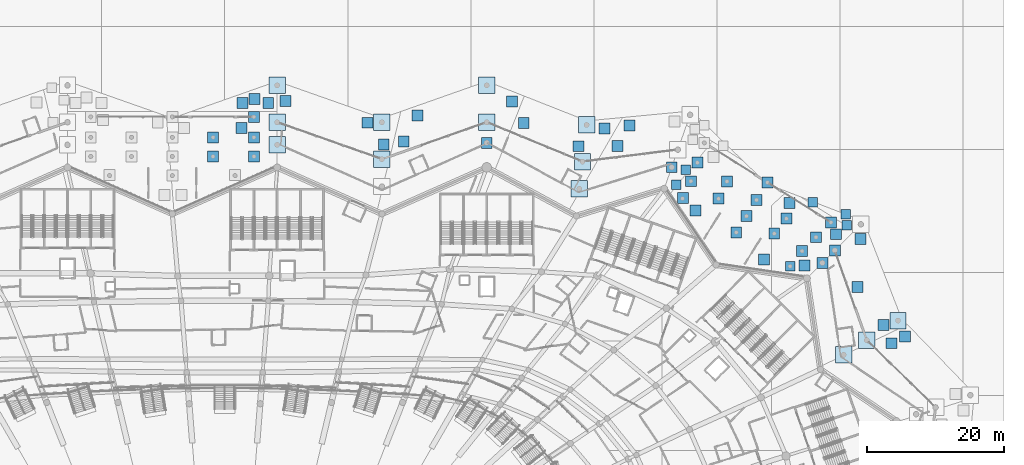
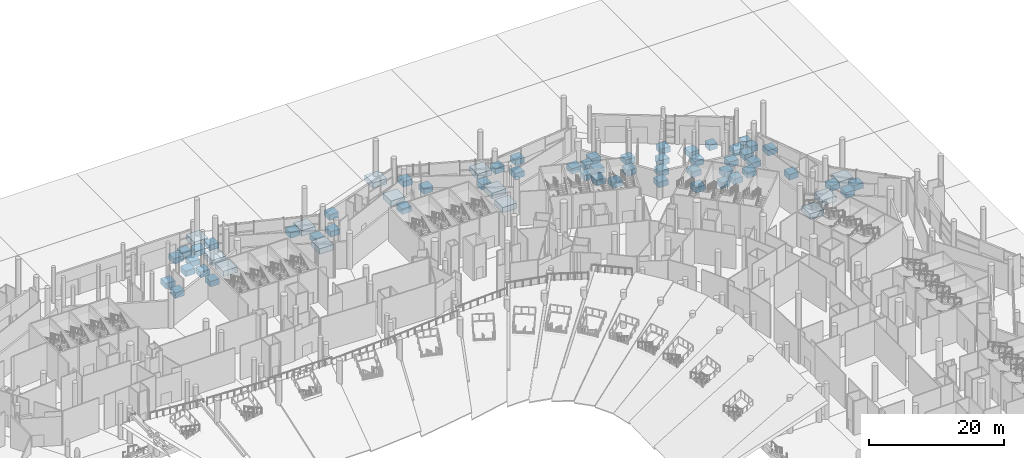
# One storey, part 8 of 255: 67 footings.
"""IFC4 building model written with IfcOpenShell, lengths in metres."""

import ifcopenshell
import ifcopenshell.guid

model = None  # the IFC model being written
_history = None  # IfcOwnerHistory: only IFC2X3 demands one
_inside = {}  # id of a spatial element -> (the spatial element, [elements in it])
_under = {}  # id of a project, library or spatial element -> (it, [spatial elements below it])
_declared = {}  # id of a project -> (the project, [libraries it declares])
_typed = {}  # id of a type object -> (the type object, [elements of that type])
_made_of = {}  # id of a material, layer set ... -> (it, [elements and type objects made of it])


def new_model(schema):
    """Start an empty IFC model of exactly this schema.

    Asked for "IFC4X3", IfcOpenShell would pick the latest addendum, in which some entities
    have other attributes; the version numbers below select the first issue.
    IFC2X3 requires an IfcOwnerHistory on every rooted entity: one is made here for all.
    """
    global model, _history
    if schema == "IFC4X3":
        model = ifcopenshell.file(schema_version=(4, 3, 0, 0))
    else:
        model = ifcopenshell.file(schema=schema)
    _inside.clear()
    _under.clear()
    _declared.clear()
    _typed.clear()
    _made_of.clear()
    _history = None
    if model.schema == "IFC2X3":
        org = make("IfcOrganization", Name="unknown")
        user = make(
            "IfcPersonAndOrganization",
            ThePerson=make("IfcPerson", FamilyName="unknown"),
            TheOrganization=org,
        )
        app = make(
            "IfcApplication",
            ApplicationDeveloper=org,
            Version="unknown",
            ApplicationFullName="unknown",
            ApplicationIdentifier="unknown",
        )
        _history = make(
            "IfcOwnerHistory",
            OwningUser=user,
            OwningApplication=app,
            ChangeAction="ADDED",
            CreationDate=0,
        )
    return model


def make(cls, **values):
    """One entity of the class cls with the attributes given. An attribute that is None is left unset."""
    return model.create_entity(
        cls, **{name: value for name, value in values.items() if value is not None}
    )


def rooted(cls, **values):
    """An entity with a GlobalId (a new one), such as an element, a storey or a relation."""
    return make(cls, GlobalId=ifcopenshell.guid.new(), OwnerHistory=_history, **values)


def si_unit(unit_type, name, prefix=None):
    """IfcSIUnit, for example si_unit("LENGTHUNIT", "METRE", prefix="MILLI")."""
    return make("IfcSIUnit", UnitType=unit_type, Prefix=prefix, Name=name)


def assignment(units):
    """IfcUnitAssignment: the units of a project."""
    return None if units is None else make("IfcUnitAssignment", Units=units)


def point(xyz):
    """IfcCartesianPoint."""
    return None if xyz is None else make("IfcCartesianPoint", Coordinates=xyz)


def direction(xyz):
    """IfcDirection."""
    return None if xyz is None else make("IfcDirection", DirectionRatios=xyz)


def frame(location, z_axis=None, x_axis=None):
    """IfcAxis2Placement3D, a coordinate frame: its origin and axes. An axis left out is left unset."""
    return make(
        "IfcAxis2Placement3D",
        Location=point(location),
        Axis=direction(z_axis),
        RefDirection=direction(x_axis),
    )


def origin():
    """The frame at (0, 0, 0) with its axes left unset."""
    return frame((0.0, 0.0, 0.0))


def place(relative_to, where):
    """IfcLocalPlacement: puts the frame where relative to a parent placement (None: the world)."""
    return make(
        "IfcLocalPlacement", PlacementRelTo=relative_to, RelativePlacement=where
    )


def context(
    kind, dimensions, precision=None, world=None, true_north=None, identifier=None
):
    """IfcGeometricRepresentationContext, for example the 3D "Model" context."""
    return make(
        "IfcGeometricRepresentationContext",
        ContextIdentifier=identifier,
        ContextType=kind,
        CoordinateSpaceDimension=dimensions,
        Precision=precision,
        WorldCoordinateSystem=world,
        TrueNorth=true_north,
    )


def subcontext(parent, identifier, kind, view, scale=None):
    """IfcGeometricRepresentationSubContext, for example "Body" below "Model"."""
    return make(
        "IfcGeometricRepresentationSubContext",
        ContextIdentifier=identifier,
        ContextType=kind,
        ParentContext=parent,
        TargetScale=scale,
        TargetView=view,
    )


def project(units=None, contexts=None):
    """IfcProject with its units and contexts."""
    return rooted(
        "IfcProject",
        Name="project",
        RepresentationContexts=contexts,
        UnitsInContext=assignment(units),
    )


def spatial(cls, under=None, at=None, **own):
    """A site, building, storey or space (cls), placed at a placement, below another one or the project."""
    s = rooted(cls, ObjectPlacement=at, **own)
    if under is not None:
        _under.setdefault(under.id(), (under, []))[1].append(s)
    return s


def polyline(points):
    """IfcPolyline through the points."""
    return make("IfcPolyline", Points=[point(p) for p in points])


def outline(outer, holes=None, kind="AREA"):
    """IfcArbitraryClosedProfileDef: a profile drawn as a closed curve; with holes, ...WithVoids."""
    if holes is None:
        return make("IfcArbitraryClosedProfileDef", ProfileType=kind, OuterCurve=outer)
    return make(
        "IfcArbitraryProfileDefWithVoids",
        ProfileType=kind,
        OuterCurve=outer,
        InnerCurves=holes,
    )


def extrude(swept, where, along, depth):
    """IfcExtrudedAreaSolid: the profile swept, set in the frame where, extruded along a direction by depth."""
    return make(
        "IfcExtrudedAreaSolid",
        SweptArea=swept,
        Position=where,
        ExtrudedDirection=direction(along),
        Depth=depth,
    )


def shape(context_of_items, identifier, shape_type, items):
    """IfcShapeRepresentation: the items that make up one representation, for example the "Body"."""
    return make(
        "IfcShapeRepresentation",
        ContextOfItems=context_of_items,
        RepresentationIdentifier=identifier,
        RepresentationType=shape_type,
        Items=items,
    )


def material(Name=None, Category=None):
    """IfcMaterial."""
    return make("IfcMaterial", Name=Name, Category=Category)


def made_of(thing, what):
    """Note that an element or type object is made of a material, layer set ...; save() writes the relation."""
    if what is not None:
        _made_of.setdefault(what.id(), (what, []))[1].append(thing)
    return thing


def type_object(cls, material=None, **own):
    """A type object (cls), such as IfcWallType, which elements share."""
    return made_of(rooted(cls, **own), material)


def element(
    cls,
    number,
    at=None,
    inside=None,
    cuts=None,
    type_object=None,
    material=None,
    context=None,
    identifier="Body",
    shape_type=None,
    held_by="IfcProductDefinitionShape",
    body=None,
    shapes=None,
    **own,
):
    """One element of the class cls, such as IfcWall. Its Tag is "e" and its number.

    at: its placement. inside: the storey or other place that contains it. cuts: it is an
    opening in that element (IfcRelVoidsElement). A single representation is given by context,
    identifier, shape_type and body (its items); several are given by shapes. held_by: the class
    of the entity that holds the representations. save() writes the other relations.
    """
    e = rooted(cls, Tag="e%d" % number, ObjectPlacement=at, **own)
    if body is not None:
        shapes = [shape(context, identifier, shape_type, body)]
    if shapes is not None:
        e.Representation = make(held_by, Representations=shapes)
    if inside is not None:
        _inside.setdefault(inside.id(), (inside, []))[1].append(e)
    if cuts is not None:
        rooted(
            "IfcRelVoidsElement", RelatingBuildingElement=cuts, RelatedOpeningElement=e
        )
    if type_object is not None:
        _typed.setdefault(type_object.id(), (type_object, []))[1].append(e)
    return made_of(e, material)


def aggregate(whole, parts):
    """IfcRelAggregates: a whole, such as a stair, and the parts it consists of."""
    return rooted("IfcRelAggregates", RelatingObject=whole, RelatedObjects=parts)


def save(model, path):
    """Write the relations noted so far, then the file.

    IfcRelAggregates (storeys below a building ...), IfcRelContainedInSpatialStructure (elements
    in a storey), IfcRelDefinesByType, IfcRelAssociatesMaterial and IfcRelDeclares: one each for
    every whole, place, type object, material and project.
    """
    for whole, parts in _under.values():
        aggregate(whole, parts)
    for where, things in _inside.values():
        rooted(
            "IfcRelContainedInSpatialStructure",
            RelatedElements=things,
            RelatingStructure=where,
        )
    for kind, things in _typed.values():
        rooted("IfcRelDefinesByType", RelatedObjects=things, RelatingType=kind)
    for what, things in _made_of.values():
        rooted("IfcRelAssociatesMaterial", RelatedObjects=things, RelatingMaterial=what)
    for by, libraries in _declared.values():
        rooted("IfcRelDeclares", RelatingContext=by, RelatedDefinitions=libraries)
    model.write(path)


model = new_model("IFC4")

# Units and contexts
model_context = context("Model", 3, precision=1e-05, world=origin(), true_north=direction((0.0, 1.0)))
body_context = subcontext(model_context, "Body", "Model", "MODEL_VIEW")
ifc_project = project(units=[si_unit("LENGTHUNIT", "METRE"), si_unit("AREAUNIT", "SQUARE_METRE"), si_unit("VOLUMEUNIT", "CUBIC_METRE"), si_unit("PLANEANGLEUNIT", "RADIAN"), si_unit("MASSUNIT", "GRAM", prefix="KILO")], contexts=[model_context])

# Site, building, storey
site_placement = place(None, origin())
site = spatial("IfcSite", under=ifc_project, at=site_placement, CompositionType="ELEMENT")
building_placement = place(site_placement, origin())
building = spatial("IfcBuilding", under=site, at=building_placement, Name="Meseta Stadium", CompositionType="ELEMENT")
storey_placement = place(building_placement, origin())
storey = spatial("IfcBuildingStorey", under=building, at=storey_placement, Name="L00", CompositionType="ELEMENT", Elevation=0.0)

# Footings
ifc_material_1 = material(Name="Concrete C30/37", Category="concrete")
footing_type_1 = type_object("IfcFootingType", Name="Gate pad footing 1400", PredefinedType="PAD_FOOTING", material=ifc_material_1)
footing_1_placement = place(storey_placement, frame((0.0, 0.0, -1.300048828125)))
element("IfcFooting", 1, at=footing_1_placement, inside=storey, type_object=footing_type_1, Name="Gate 2 pad footing", PredefinedType="PAD_FOOTING", context=body_context, shape_type="SweptSolid", body=[
    extrude(outline(polyline([(83.41943359375, 90.239013671875), (83.41943359375, 91.638916015625), (82.01953125, 91.638916015625), (82.01953125, 90.239013671875), (83.41943359375, 90.239013671875)])), origin(), (0.0, 0.0, 1.0), 1.0),
])
footing_2_placement = place(storey_placement, frame((0.0, 0.0, -1.300048828125)))
element("IfcFooting", 2, at=footing_2_placement, inside=storey, type_object=footing_type_1, Name="Paving pad footing", PredefinedType="PAD_FOOTING", context=body_context, shape_type="SweptSolid", body=[
    extrude(outline(polyline([(86.719970703125, 99.62890625), (86.719970703125, 101.029052734375), (85.320068359375, 101.029052734375), (85.320068359375, 99.62890625), (86.719970703125, 99.62890625)])), origin(), (0.0, 0.0, 1.0), 1.0),
])
footing_3_placement = place(storey_placement, frame((0.0, 0.0, -1.300048828125)))
element("IfcFooting", 3, at=footing_3_placement, inside=storey, type_object=footing_type_1, Name="Paving pad footing", PredefinedType="PAD_FOOTING", context=body_context, shape_type="SweptSolid", body=[
    extrude(outline(polyline([(91.719970703125, 96.22900390625), (91.719970703125, 97.62890625), (90.320068359375, 97.62890625), (90.320068359375, 96.22900390625), (91.719970703125, 96.22900390625)])), origin(), (0.0, 0.0, 1.0), 1.0),
])
footing_4_placement = place(storey_placement, frame((0.0, 0.0, -1.300048828125)))
element("IfcFooting", 4, at=footing_4_placement, inside=storey, type_object=footing_type_1, Name="Paving pad footing", PredefinedType="PAD_FOOTING", context=body_context, shape_type="SweptSolid", body=[
    extrude(outline(polyline([(91.52001953125, 97.8291015625), (91.52001953125, 99.22900390625), (90.1201171875, 99.22900390625), (90.1201171875, 97.8291015625), (91.52001953125, 97.8291015625)])), origin(), (0.0, 0.0, 1.0), 1.0),
])
footing_5_placement = place(storey_placement, frame((0.0, 0.0, -1.300048828125)))
element("IfcFooting", 5, at=footing_5_placement, inside=storey, type_object=footing_type_1, Name="Paving pad footing", PredefinedType="PAD_FOOTING", context=body_context, shape_type="SweptSolid", body=[
    extrude(outline(polyline([(66.762939453125, 102.158935546875), (66.762939453125, 103.55908203125), (65.363037109375, 103.55908203125), (65.363037109375, 102.158935546875), (66.762939453125, 102.158935546875)])), origin(), (0.0, 0.0, 1.0), 1.0),
])
footing_6_placement = place(storey_placement, frame((0.0, 0.0, -1.300048828125)))
element("IfcFooting", 6, at=footing_6_placement, inside=storey, type_object=footing_type_1, Name="Paving pad footing", PredefinedType="PAD_FOOTING", context=body_context, shape_type="SweptSolid", body=[
    extrude(outline(polyline([(68.1630859375, 104.35888671875), (68.1630859375, 105.759033203125), (66.762939453125, 105.759033203125), (66.762939453125, 104.35888671875), (68.1630859375, 104.35888671875)])), origin(), (0.0, 0.0, 1.0), 1.0),
])
ifc_material_2 = material(Name="Concrete C30/37", Category="concrete")
footing_type_2 = type_object("IfcFootingType", Name="Gate pad footing 1600", PredefinedType="PAD_FOOTING", material=ifc_material_2)
footing_7_placement = place(storey_placement, frame((0.0, 0.0, -1.300048828125)))
element("IfcFooting", 7, at=footing_7_placement, inside=storey, type_object=footing_type_2, Name="Gate 2 pad footing", PredefinedType="PAD_FOOTING", context=body_context, shape_type="SweptSolid", body=[
    extrude(outline(polyline([(75.635986328125, 95.092529296875), (75.635986328125, 96.6923828125), (74.0361328125, 96.6923828125), (74.0361328125, 95.092529296875), (75.635986328125, 95.092529296875)])), origin(), (0.0, 0.0, 1.0), 1.0),
])
footing_8_placement = place(storey_placement, frame((0.0, 0.0, -1.300048828125)))
element("IfcFooting", 8, at=footing_8_placement, inside=storey, type_object=footing_type_2, Name="Gate 2 pad footing", PredefinedType="PAD_FOOTING", context=body_context, shape_type="SweptSolid", body=[
    extrude(outline(polyline([(67.864990234375, 100.121826171875), (67.864990234375, 101.721923828125), (66.264892578125, 101.721923828125), (66.264892578125, 100.121826171875), (67.864990234375, 100.121826171875)])), origin(), (0.0, 0.0, 1.0), 1.0),
])
footing_9_placement = place(storey_placement, frame((0.0, 0.0, -1.300048828125)))
element("IfcFooting", 9, at=footing_9_placement, inside=storey, type_object=footing_type_2, Name="Gate 2 pad footing", PredefinedType="PAD_FOOTING", context=body_context, shape_type="SweptSolid", body=[
    extrude(outline(polyline([(85.2626953125, 92.3505859375), (85.2626953125, 93.950439453125), (83.66259765625, 93.950439453125), (83.66259765625, 92.3505859375), (85.2626953125, 92.3505859375)])), origin(), (0.0, 0.0, 1.0), 1.0),
])
footing_10_placement = place(storey_placement, frame((0.0, 0.0, -1.300048828125)))
element("IfcFooting", 10, at=footing_10_placement, inside=storey, type_object=footing_type_2, Name="Gate 2 pad footing", PredefinedType="PAD_FOOTING", context=body_context, shape_type="SweptSolid", body=[
    extrude(outline(polyline([(81.1943359375, 94.906982421875), (81.1943359375, 96.5068359375), (79.59423828125, 96.5068359375), (79.59423828125, 94.906982421875), (81.1943359375, 94.906982421875)])), origin(), (0.0, 0.0, 1.0), 1.0),
])
footing_11_placement = place(storey_placement, frame((0.0, 0.0, -1.300048828125)))
element("IfcFooting", 11, at=footing_11_placement, inside=storey, type_object=footing_type_2, Name="Gate 2 pad footing", PredefinedType="PAD_FOOTING", context=body_context, shape_type="SweptSolid", body=[
    extrude(outline(polyline([(77.125732421875, 97.46337890625), (77.125732421875, 99.063232421875), (75.52587890625, 99.063232421875), (75.52587890625, 97.46337890625), (77.125732421875, 97.46337890625)])), origin(), (0.0, 0.0, 1.0), 1.0),
])
footing_12_placement = place(storey_placement, frame((0.0, 0.0, -1.300048828125)))
element("IfcFooting", 12, at=footing_12_placement, inside=storey, type_object=footing_type_2, Name="Gate 2 pad footing", PredefinedType="PAD_FOOTING", context=body_context, shape_type="SweptSolid", body=[
    extrude(outline(polyline([(73.057373046875, 100.019775390625), (73.057373046875, 101.61962890625), (71.45751953125, 101.61962890625), (71.45751953125, 100.019775390625), (73.057373046875, 100.019775390625)])), origin(), (0.0, 0.0, 1.0), 1.0),
])
footing_13_placement = place(storey_placement, frame((0.0, 0.0, -1.300048828125)))
element("IfcFooting", 13, at=footing_13_placement, inside=storey, type_object=footing_type_2, Name="Gate 2 pad footing", PredefinedType="PAD_FOOTING", context=body_context, shape_type="SweptSolid", body=[
    extrude(outline(polyline([(68.989013671875, 102.575927734375), (68.989013671875, 104.176025390625), (67.388916015625, 104.176025390625), (67.388916015625, 102.575927734375), (68.989013671875, 102.575927734375)])), origin(), (0.0, 0.0, 1.0), 1.0),
])
footing_14_placement = place(storey_placement, frame((0.0, 0.0, -1.300048828125)))
element("IfcFooting", 14, at=footing_14_placement, inside=storey, type_object=footing_type_2, Name="Gate 2 pad footing", PredefinedType="PAD_FOOTING", context=body_context, shape_type="SweptSolid", body=[
    extrude(outline(polyline([(87.293701171875, 94.38134765625), (87.293701171875, 95.981201171875), (85.693603515625, 95.981201171875), (85.693603515625, 94.38134765625), (87.293701171875, 94.38134765625)])), origin(), (0.0, 0.0, 1.0), 1.0),
])
footing_15_placement = place(storey_placement, frame((0.0, 0.0, -1.300048828125)))
element("IfcFooting", 15, at=footing_15_placement, inside=storey, type_object=footing_type_2, Name="Gate 2 pad footing", PredefinedType="PAD_FOOTING", context=body_context, shape_type="SweptSolid", body=[
    extrude(outline(polyline([(82.95458984375, 97.107666015625), (82.95458984375, 98.707763671875), (81.3544921875, 98.707763671875), (81.3544921875, 97.107666015625), (82.95458984375, 97.107666015625)])), origin(), (0.0, 0.0, 1.0), 1.0),
])
footing_16_placement = place(storey_placement, frame((0.0, 0.0, -1.300048828125)))
element("IfcFooting", 16, at=footing_16_placement, inside=storey, type_object=footing_type_2, Name="Gate 2 pad footing", PredefinedType="PAD_FOOTING", context=body_context, shape_type="SweptSolid", body=[
    extrude(outline(polyline([(78.615478515625, 99.833984375), (78.615478515625, 101.43408203125), (77.015380859375, 101.43408203125), (77.015380859375, 99.833984375), (78.615478515625, 99.833984375)])), origin(), (0.0, 0.0, 1.0), 1.0),
])
footing_17_placement = place(storey_placement, frame((0.0, 0.0, -1.300048828125)))
element("IfcFooting", 17, at=footing_17_placement, inside=storey, type_object=footing_type_2, Name="Gate 2 pad footing", PredefinedType="PAD_FOOTING", context=body_context, shape_type="SweptSolid", body=[
    extrude(outline(polyline([(74.276611328125, 102.560546875), (74.276611328125, 104.160400390625), (72.676513671875, 104.160400390625), (72.676513671875, 102.560546875), (74.276611328125, 102.560546875)])), origin(), (0.0, 0.0, 1.0), 1.0),
])
footing_18_placement = place(storey_placement, frame((0.0, 0.0, -1.300048828125)))
element("IfcFooting", 18, at=footing_18_placement, inside=storey, type_object=footing_type_2, Name="Gate 2 pad footing", PredefinedType="PAD_FOOTING", context=body_context, shape_type="SweptSolid", body=[
    extrude(outline(polyline([(69.9375, 105.286865234375), (69.9375, 106.886962890625), (68.33740234375, 106.886962890625), (68.33740234375, 105.286865234375), (69.9375, 105.286865234375)])), origin(), (0.0, 0.0, 1.0), 1.0),
])
footing_19_placement = place(storey_placement, frame((0.0, 0.0, -1.300048828125)))
element("IfcFooting", 19, at=footing_19_placement, inside=storey, type_object=footing_type_2, Name="Gate 2 pad footing", PredefinedType="PAD_FOOTING", context=body_context, shape_type="SweptSolid", body=[
    extrude(outline(polyline([(89.469482421875, 96.55712890625), (89.469482421875, 98.1572265625), (87.869384765625, 98.1572265625), (87.869384765625, 96.55712890625), (89.469482421875, 96.55712890625)])), origin(), (0.0, 0.0, 1.0), 1.0),
])
footing_20_placement = place(storey_placement, frame((0.0, 0.0, -1.300048828125)))
element("IfcFooting", 20, at=footing_20_placement, inside=storey, type_object=footing_type_2, Name="Gate 2 pad footing", PredefinedType="PAD_FOOTING", context=body_context, shape_type="SweptSolid", body=[
    extrude(outline(polyline([(80.211669921875, 102.374267578125), (80.211669921875, 103.974365234375), (78.611572265625, 103.974365234375), (78.611572265625, 102.374267578125), (80.211669921875, 102.374267578125)])), origin(), (0.0, 0.0, 1.0), 1.0),
])
footing_21_placement = place(storey_placement, frame((0.0, 0.0, -1.300048828125)))
element("IfcFooting", 21, at=footing_21_placement, inside=storey, type_object=footing_type_2, Name="Gate 3 pad footing", PredefinedType="PAD_FOOTING", context=body_context, shape_type="SweptSolid", body=[
    extrude(outline(polyline([(5.066650390625, 106.199951171875), (5.066650390625, 107.800048828125), (3.466796875, 107.800048828125), (3.466796875, 106.199951171875), (5.066650390625, 106.199951171875)])), origin(), (0.0, 0.0, 1.0), 1.0),
])
footing_22_placement = place(storey_placement, frame((0.0, 0.0, -1.300048828125)))
element("IfcFooting", 22, at=footing_22_placement, inside=storey, type_object=footing_type_2, Name="Gate 3 pad footing", PredefinedType="PAD_FOOTING", context=body_context, shape_type="SweptSolid", body=[
    extrude(outline(polyline([(-0.89990234375, 106.199951171875), (-0.89990234375, 107.800048828125), (-2.5, 107.800048828125), (-2.5, 106.199951171875), (-0.89990234375, 106.199951171875)])), origin(), (0.0, 0.0, 1.0), 1.0),
])
footing_23_placement = place(storey_placement, frame((0.0, 0.0, -1.300048828125)))
element("IfcFooting", 23, at=footing_23_placement, inside=storey, type_object=footing_type_2, Name="Gate 3 pad footing", PredefinedType="PAD_FOOTING", context=body_context, shape_type="SweptSolid", body=[
    extrude(outline(polyline([(5.066650390625, 109.0), (5.066650390625, 110.60009765625), (3.466796875, 110.60009765625), (3.466796875, 109.0), (5.066650390625, 109.0)])), origin(), (0.0, 0.0, 1.0), 1.0),
])
footing_24_placement = place(storey_placement, frame((0.0, 0.0, -1.300048828125)))
element("IfcFooting", 24, at=footing_24_placement, inside=storey, type_object=footing_type_2, Name="Gate 3 pad footing", PredefinedType="PAD_FOOTING", context=body_context, shape_type="SweptSolid", body=[
    extrude(outline(polyline([(-0.89990234375, 109.0), (-0.89990234375, 110.60009765625), (-2.5, 110.60009765625), (-2.5, 109.0), (-0.89990234375, 109.0)])), origin(), (0.0, 0.0, 1.0), 1.0),
])
footing_25_placement = place(storey_placement, frame((0.0, 0.0, -1.300048828125)))
element("IfcFooting", 25, at=footing_25_placement, inside=storey, type_object=footing_type_2, Name="Gate 3 pad footing", PredefinedType="PAD_FOOTING", context=body_context, shape_type="SweptSolid", body=[
    extrude(outline(polyline([(5.066650390625, 112.0), (5.066650390625, 113.60009765625), (3.466796875, 113.60009765625), (3.466796875, 112.0), (5.066650390625, 112.0)])), origin(), (0.0, 0.0, 1.0), 1.0),
])
ifc_material_3 = material(Name="Concrete C30/37", Category="concrete")
footing_type_3 = type_object("IfcFootingType", Name="Ring pad footing 1600", PredefinedType="PAD_FOOTING", material=ifc_material_3)
footing_26_placement = place(storey_placement, frame((0.0, 0.0, -1.300048828125)))
element("IfcFooting", 26, at=footing_26_placement, inside=storey, type_object=footing_type_3, Name="Ring pad footing F12M", PredefinedType="PAD_FOOTING", context=body_context, shape_type="SweptSolid", body=[
    extrude(outline(polyline([(88.226318359375, 90.62646484375), (88.226318359375, 92.226318359375), (86.62646484375, 92.226318359375), (86.62646484375, 90.62646484375), (88.226318359375, 90.62646484375)])), origin(), (0.0, 0.0, 1.0), 1.0),
])
footing_27_placement = place(storey_placement, frame((0.0, 0.0, -1.300048828125)))
element("IfcFooting", 27, at=footing_27_placement, inside=storey, type_object=footing_type_3, Name="Ring pad footing F12Q", PredefinedType="PAD_FOOTING", context=body_context, shape_type="SweptSolid", body=[
    extrude(outline(polyline([(90.0546875, 92.454833984375), (90.0546875, 94.0546875), (88.454833984375, 94.0546875), (88.454833984375, 92.454833984375), (90.0546875, 92.454833984375)])), origin(), (0.0, 0.0, 1.0), 1.0),
])
footing_28_placement = place(storey_placement, frame((0.0, 0.0, -1.300048828125)))
element("IfcFooting", 28, at=footing_28_placement, inside=storey, type_object=footing_type_3, Name="Ring pad footing F14M", PredefinedType="PAD_FOOTING", context=body_context, shape_type="SweptSolid", body=[
    extrude(outline(polyline([(66.193603515625, 104.623779296875), (66.193603515625, 106.2236328125), (64.593505859375, 106.2236328125), (64.593505859375, 104.623779296875), (66.193603515625, 104.623779296875)])), origin(), (0.0, 0.0, 1.0), 1.0),
])
footing_29_placement = place(storey_placement, frame((0.0, 0.0, -1.300048828125)))
element("IfcFooting", 29, at=footing_29_placement, inside=storey, type_object=footing_type_3, Name="Ring pad footing F16M", PredefinedType="PAD_FOOTING", context=body_context, shape_type="SweptSolid", body=[
    extrude(outline(polyline([(39.13330078125, 108.199951171875), (39.13330078125, 109.800048828125), (37.533203125, 109.800048828125), (37.533203125, 108.199951171875), (39.13330078125, 108.199951171875)])), origin(), (0.0, 0.0, 1.0), 1.0),
])
footing_30_placement = place(storey_placement, frame((0.0, 0.0, -1.300048828125)))
element("IfcFooting", 30, at=footing_30_placement, inside=storey, type_object=footing_type_3, Name="Paving pad footing", PredefinedType="PAD_FOOTING", context=body_context, shape_type="SweptSolid", body=[
    extrude(outline(polyline([(79.69189453125, 91.1240234375), (79.69189453125, 92.72412109375), (78.092041015625, 92.72412109375), (78.092041015625, 91.1240234375), (79.69189453125, 91.1240234375)])), origin(), (0.0, 0.0, 1.0), 1.0),
])
footing_31_placement = place(storey_placement, frame((0.0, 0.0, -1.300048828125)))
element("IfcFooting", 31, at=footing_31_placement, inside=storey, type_object=footing_type_3, Name="Paving pad footing", PredefinedType="PAD_FOOTING", context=body_context, shape_type="SweptSolid", body=[
    extrude(outline(polyline([(69.69189453125, 98.323974609375), (69.69189453125, 99.924072265625), (68.092041015625, 99.924072265625), (68.092041015625, 98.323974609375), (69.69189453125, 98.323974609375)])), origin(), (0.0, 0.0, 1.0), 1.0),
])
footing_32_placement = place(storey_placement, frame((0.0, 0.0, -1.300048828125)))
element("IfcFooting", 32, at=footing_32_placement, inside=storey, type_object=footing_type_3, Name="Paving pad footing", PredefinedType="PAD_FOOTING", context=body_context, shape_type="SweptSolid", body=[
    extrude(outline(polyline([(83.39990234375, 99.4208984375), (83.39990234375, 101.02099609375), (81.800048828125, 101.02099609375), (81.800048828125, 99.4208984375), (83.39990234375, 99.4208984375)])), origin(), (0.0, 0.0, 1.0), 1.0),
])
footing_33_placement = place(storey_placement, frame((0.0, 0.0, -1.300048828125)))
element("IfcFooting", 33, at=footing_33_placement, inside=storey, type_object=footing_type_3, Name="Paving pad footing", PredefinedType="PAD_FOOTING", context=body_context, shape_type="SweptSolid", body=[
    extrude(outline(polyline([(85.60009765625, 90.220947265625), (85.60009765625, 91.821044921875), (84.0, 91.821044921875), (84.0, 90.220947265625), (85.60009765625, 90.220947265625)])), origin(), (0.0, 0.0, 1.0), 1.0),
])
footing_34_placement = place(storey_placement, frame((0.0, 0.0, -1.300048828125)))
element("IfcFooting", 34, at=footing_34_placement, inside=storey, type_object=footing_type_3, Name="Paving pad footing", PredefinedType="PAD_FOOTING", context=body_context, shape_type="SweptSolid", body=[
    extrude(outline(polyline([(90.199951171875, 94.821044921875), (90.199951171875, 96.4208984375), (88.60009765625, 96.4208984375), (88.60009765625, 94.821044921875), (90.199951171875, 94.821044921875)])), origin(), (0.0, 0.0, 1.0), 1.0),
])
footing_35_placement = place(storey_placement, frame((0.0, 0.0, -1.300048828125)))
element("IfcFooting", 35, at=footing_35_placement, inside=storey, type_object=footing_type_3, Name="Paving pad footing", PredefinedType="PAD_FOOTING", context=body_context, shape_type="SweptSolid", body=[
    extrude(outline(polyline([(7.173095703125, 114.0), (7.173095703125, 115.60009765625), (5.572998046875, 115.60009765625), (5.572998046875, 114.0), (7.173095703125, 114.0)])), origin(), (0.0, 0.0, 1.0), 1.0),
])
footing_36_placement = place(storey_placement, frame((0.0, 0.0, -1.300048828125)))
element("IfcFooting", 36, at=footing_36_placement, inside=storey, type_object=footing_type_3, Name="Paving pad footing", PredefinedType="PAD_FOOTING", context=body_context, shape_type="SweptSolid", body=[
    extrude(outline(polyline([(3.373046875, 114.0), (3.373046875, 115.60009765625), (1.77294921875, 115.60009765625), (1.77294921875, 114.0), (3.373046875, 114.0)])), origin(), (0.0, 0.0, 1.0), 1.0),
])
footing_37_placement = place(storey_placement, frame((0.0, 0.0, -1.300048828125)))
element("IfcFooting", 37, at=footing_37_placement, inside=storey, type_object=footing_type_3, Name="Paving pad footing", PredefinedType="PAD_FOOTING", context=body_context, shape_type="SweptSolid", body=[
    extrude(outline(polyline([(5.173095703125, 114.60009765625), (5.173095703125, 116.199951171875), (3.572998046875, 116.199951171875), (3.572998046875, 114.60009765625), (5.173095703125, 114.60009765625)])), origin(), (0.0, 0.0, 1.0), 1.0),
])
footing_38_placement = place(storey_placement, frame((0.0, 0.0, -1.300048828125)))
element("IfcFooting", 38, at=footing_38_placement, inside=storey, type_object=footing_type_3, Name="Paving pad footing", PredefinedType="PAD_FOOTING", context=body_context, shape_type="SweptSolid", body=[
    extrude(outline(polyline([(3.26806640625, 110.3330078125), (3.26806640625, 111.93310546875), (1.66796875, 111.93310546875), (1.66796875, 110.3330078125), (3.26806640625, 110.3330078125)])), origin(), (0.0, 0.0, 1.0), 1.0),
])
footing_39_placement = place(storey_placement, frame((0.0, 0.0, -1.300048828125)))
element("IfcFooting", 39, at=footing_39_placement, inside=storey, type_object=footing_type_3, Name="Paving pad footing", PredefinedType="PAD_FOOTING", context=body_context, shape_type="SweptSolid", body=[
    extrude(outline(polyline([(93.7890625, 94.1279296875), (93.7890625, 95.72802734375), (92.18896484375, 95.72802734375), (92.18896484375, 94.1279296875), (93.7890625, 94.1279296875)])), origin(), (0.0, 0.0, 1.0), 1.0),
])
footing_40_placement = place(storey_placement, frame((0.0, 0.0, -1.300048828125)))
element("IfcFooting", 40, at=footing_40_placement, inside=storey, type_object=footing_type_3, Name="Paving pad footing", PredefinedType="PAD_FOOTING", context=body_context, shape_type="SweptSolid", body=[
    extrude(outline(polyline([(97.18896484375, 81.528076171875), (97.18896484375, 83.1279296875), (95.589111328125, 83.1279296875), (95.589111328125, 81.528076171875), (97.18896484375, 81.528076171875)])), origin(), (0.0, 0.0, 1.0), 1.0),
])
footing_41_placement = place(storey_placement, frame((0.0, 0.0, -1.300048828125)))
element("IfcFooting", 41, at=footing_41_placement, inside=storey, type_object=footing_type_3, Name="Paving pad footing", PredefinedType="PAD_FOOTING", context=body_context, shape_type="SweptSolid", body=[
    extrude(outline(polyline([(93.388916015625, 87.1279296875), (93.388916015625, 88.72802734375), (91.7890625, 88.72802734375), (91.7890625, 87.1279296875), (93.388916015625, 87.1279296875)])), origin(), (0.0, 0.0, 1.0), 1.0),
])
footing_42_placement = place(storey_placement, frame((0.0, 0.0, -1.300048828125)))
element("IfcFooting", 42, at=footing_42_placement, inside=storey, type_object=footing_type_3, Name="Paving pad footing", PredefinedType="PAD_FOOTING", context=body_context, shape_type="SweptSolid", body=[
    extrude(outline(polyline([(98.319091796875, 78.873046875), (98.319091796875, 80.472900390625), (96.718994140625, 80.472900390625), (96.718994140625, 78.873046875), (98.319091796875, 78.873046875)])), origin(), (0.0, 0.0, 1.0), 1.0),
])
footing_43_placement = place(storey_placement, frame((0.0, 0.0, -1.300048828125)))
element("IfcFooting", 43, at=footing_43_placement, inside=storey, type_object=footing_type_3, Name="Paving pad footing", PredefinedType="PAD_FOOTING", context=body_context, shape_type="SweptSolid", body=[
    extrude(outline(polyline([(100.319091796875, 79.873046875), (100.319091796875, 81.472900390625), (98.718994140625, 81.472900390625), (98.718994140625, 79.873046875), (100.319091796875, 79.873046875)])), origin(), (0.0, 0.0, 1.0), 1.0),
])
footing_44_placement = place(storey_placement, frame((0.0, 0.0, -1.300048828125)))
element("IfcFooting", 44, at=footing_44_placement, inside=storey, type_object=footing_type_3, Name="Paving pad footing", PredefinedType="PAD_FOOTING", context=body_context, shape_type="SweptSolid", body=[
    extrude(outline(polyline([(9.6669921875, 114.3330078125), (9.6669921875, 115.93310546875), (8.06689453125, 115.93310546875), (8.06689453125, 114.3330078125), (9.6669921875, 114.3330078125)])), origin(), (0.0, 0.0, 1.0), 1.0),
])
footing_45_placement = place(storey_placement, frame((0.0, 0.0, -1.300048828125)))
element("IfcFooting", 45, at=footing_45_placement, inside=storey, type_object=footing_type_3, Name="Paving pad footing", PredefinedType="PAD_FOOTING", context=body_context, shape_type="SweptSolid", body=[
    extrude(outline(polyline([(24.06689453125, 107.93310546875), (24.06689453125, 109.532958984375), (22.467041015625, 109.532958984375), (22.467041015625, 107.93310546875), (24.06689453125, 107.93310546875)])), origin(), (0.0, 0.0, 1.0), 1.0),
])
footing_46_placement = place(storey_placement, frame((0.0, 0.0, -1.300048828125)))
element("IfcFooting", 46, at=footing_46_placement, inside=storey, type_object=footing_type_3, Name="Paving pad footing", PredefinedType="PAD_FOOTING", context=body_context, shape_type="SweptSolid", body=[
    extrude(outline(polyline([(21.6669921875, 111.133056640625), (21.6669921875, 112.73291015625), (20.06689453125, 112.73291015625), (20.06689453125, 111.133056640625), (21.6669921875, 111.133056640625)])), origin(), (0.0, 0.0, 1.0), 1.0),
])
footing_47_placement = place(storey_placement, frame((0.0, 0.0, -1.300048828125)))
element("IfcFooting", 47, at=footing_47_placement, inside=storey, type_object=footing_type_3, Name="Paving pad footing", PredefinedType="PAD_FOOTING", context=body_context, shape_type="SweptSolid", body=[
    extrude(outline(polyline([(26.9951171875, 108.4208984375), (26.9951171875, 110.02099609375), (25.39501953125, 110.02099609375), (25.39501953125, 108.4208984375), (26.9951171875, 108.4208984375)])), origin(), (0.0, 0.0, 1.0), 1.0),
])
footing_48_placement = place(storey_placement, frame((0.0, 0.0, -1.300048828125)))
element("IfcFooting", 48, at=footing_48_placement, inside=storey, type_object=footing_type_3, Name="Paving pad footing", PredefinedType="PAD_FOOTING", context=body_context, shape_type="SweptSolid", body=[
    extrude(outline(polyline([(42.7958984375, 114.220947265625), (42.7958984375, 115.821044921875), (41.196044921875, 115.821044921875), (41.196044921875, 114.220947265625), (42.7958984375, 114.220947265625)])), origin(), (0.0, 0.0, 1.0), 1.0),
])
footing_49_placement = place(storey_placement, frame((0.0, 0.0, -1.300048828125)))
element("IfcFooting", 49, at=footing_49_placement, inside=storey, type_object=footing_type_3, Name="Paving pad footing", PredefinedType="PAD_FOOTING", context=body_context, shape_type="SweptSolid", body=[
    extrude(outline(polyline([(28.9951171875, 112.220947265625), (28.9951171875, 113.821044921875), (27.39501953125, 113.821044921875), (27.39501953125, 112.220947265625), (28.9951171875, 112.220947265625)])), origin(), (0.0, 0.0, 1.0), 1.0),
])
footing_50_placement = place(storey_placement, frame((0.0, 0.0, -1.300048828125)))
element("IfcFooting", 50, at=footing_50_placement, inside=storey, type_object=footing_type_3, Name="Paving pad footing", PredefinedType="PAD_FOOTING", context=body_context, shape_type="SweptSolid", body=[
    extrude(outline(polyline([(56.344970703125, 110.2939453125), (56.344970703125, 111.89404296875), (54.7451171875, 111.89404296875), (54.7451171875, 110.2939453125), (56.344970703125, 110.2939453125)])), origin(), (0.0, 0.0, 1.0), 1.0),
])
footing_51_placement = place(storey_placement, frame((0.0, 0.0, -1.300048828125)))
element("IfcFooting", 51, at=footing_51_placement, inside=storey, type_object=footing_type_3, Name="Paving pad footing", PredefinedType="PAD_FOOTING", context=body_context, shape_type="SweptSolid", body=[
    extrude(outline(polyline([(44.544921875, 111.093994140625), (44.544921875, 112.694091796875), (42.945068359375, 112.694091796875), (42.945068359375, 111.093994140625), (44.544921875, 111.093994140625)])), origin(), (0.0, 0.0, 1.0), 1.0),
])
footing_52_placement = place(storey_placement, frame((0.0, 0.0, -1.300048828125)))
element("IfcFooting", 52, at=footing_52_placement, inside=storey, type_object=footing_type_3, Name="Paving pad footing", PredefinedType="PAD_FOOTING", context=body_context, shape_type="SweptSolid", body=[
    extrude(outline(polyline([(52.544921875, 107.694091796875), (52.544921875, 109.2939453125), (50.945068359375, 109.2939453125), (50.945068359375, 107.694091796875), (52.544921875, 107.694091796875)])), origin(), (0.0, 0.0, 1.0), 1.0),
])
footing_53_placement = place(storey_placement, frame((0.0, 0.0, -1.300048828125)))
element("IfcFooting", 53, at=footing_53_placement, inside=storey, type_object=footing_type_3, Name="Paving pad footing", PredefinedType="PAD_FOOTING", context=body_context, shape_type="SweptSolid", body=[
    extrude(outline(polyline([(58.22998046875, 107.73095703125), (58.22998046875, 109.3310546875), (56.6298828125, 109.3310546875), (56.6298828125, 107.73095703125), (58.22998046875, 107.73095703125)])), origin(), (0.0, 0.0, 1.0), 1.0),
])
footing_54_placement = place(storey_placement, frame((0.0, 0.0, -1.300048828125)))
element("IfcFooting", 54, at=footing_54_placement, inside=storey, type_object=footing_type_3, Name="Paving pad footing", PredefinedType="PAD_FOOTING", context=body_context, shape_type="SweptSolid", body=[
    extrude(outline(polyline([(60.030029296875, 110.73095703125), (60.030029296875, 112.3310546875), (58.429931640625, 112.3310546875), (58.429931640625, 110.73095703125), (60.030029296875, 110.73095703125)])), origin(), (0.0, 0.0, 1.0), 1.0),
])
ifc_material_4 = material(Name="Concrete C30/37", Category="concrete")
footing_type_4 = type_object("IfcFootingType", Name="Ring pad footing 2400", PredefinedType="PAD_FOOTING", material=ifc_material_4)
footing_55_placement = place(storey_placement, frame((0.0, 0.0, -1.300048828125)))
element("IfcFooting", 55, at=footing_55_placement, inside=storey, type_object=footing_type_4, Name="Ring pad footing F11M", PredefinedType="PAD_FOOTING", context=body_context, shape_type="SweptSolid", body=[
    extrude(outline(polyline([(91.73779296875, 76.784912109375), (91.73779296875, 79.184814453125), (89.337646484375, 79.184814453125), (89.337646484375, 76.784912109375), (91.73779296875, 76.784912109375)])), origin(), (0.0, 0.0, 1.0), 1.0),
])
footing_56_placement = place(storey_placement, frame((0.0, 0.0, -1.300048828125)))
element("IfcFooting", 56, at=footing_56_placement, inside=storey, type_object=footing_type_4, Name="Ring pad footing F11Q", PredefinedType="PAD_FOOTING", context=body_context, shape_type="SweptSolid", body=[
    extrude(outline(polyline([(95.12451171875, 78.9130859375), (95.12451171875, 81.31298828125), (92.724609375, 81.31298828125), (92.724609375, 78.9130859375), (95.12451171875, 78.9130859375)])), origin(), (0.0, 0.0, 1.0), 1.0),
])
footing_57_placement = place(storey_placement, frame((0.0, 0.0, -1.300048828125)))
element("IfcFooting", 57, at=footing_57_placement, inside=storey, type_object=footing_type_4, Name="Ring pad footing F11O", PredefinedType="PAD_FOOTING", context=body_context, shape_type="SweptSolid", body=[
    extrude(outline(polyline([(99.697021484375, 81.785888671875), (99.697021484375, 84.18603515625), (97.296875, 84.18603515625), (97.296875, 81.785888671875), (99.697021484375, 81.785888671875)])), origin(), (0.0, 0.0, 1.0), 1.0),
])
footing_58_placement = place(storey_placement, frame((0.0, 0.0, -1.300048828125)))
element("IfcFooting", 58, at=footing_58_placement, inside=storey, type_object=footing_type_4, Name="Ring pad footing F15M", PredefinedType="PAD_FOOTING", context=body_context, shape_type="SweptSolid", body=[
    extrude(outline(polyline([(53.08935546875, 101.0693359375), (53.08935546875, 103.46923828125), (50.689208984375, 103.46923828125), (50.689208984375, 101.0693359375), (53.08935546875, 101.0693359375)])), origin(), (0.0, 0.0, 1.0), 1.0),
])
footing_59_placement = place(storey_placement, frame((0.0, 0.0, -1.300048828125)))
element("IfcFooting", 59, at=footing_59_placement, inside=storey, type_object=footing_type_4, Name="Ring pad footing F15Q", PredefinedType="PAD_FOOTING", context=body_context, shape_type="SweptSolid", body=[
    extrude(outline(polyline([(53.537109375, 105.044189453125), (53.537109375, 107.444091796875), (51.13720703125, 107.444091796875), (51.13720703125, 105.044189453125), (53.537109375, 105.044189453125)])), origin(), (0.0, 0.0, 1.0), 1.0),
])
footing_60_placement = place(storey_placement, frame((0.0, 0.0, -1.300048828125)))
element("IfcFooting", 60, at=footing_60_placement, inside=storey, type_object=footing_type_4, Name="Ring pad footing F15O", PredefinedType="PAD_FOOTING", context=body_context, shape_type="SweptSolid", body=[
    extrude(outline(polyline([(54.141845703125, 110.41015625), (54.141845703125, 112.810302734375), (51.74169921875, 112.810302734375), (51.74169921875, 110.41015625), (54.141845703125, 110.41015625)])), origin(), (0.0, 0.0, 1.0), 1.0),
])
footing_61_placement = place(storey_placement, frame((0.0, 0.0, -1.300048828125)))
element("IfcFooting", 61, at=footing_61_placement, inside=storey, type_object=footing_type_4, Name="Ring pad footing F16Q", PredefinedType="PAD_FOOTING", context=body_context, shape_type="SweptSolid", body=[
    extrude(outline(polyline([(39.533203125, 110.800048828125), (39.533203125, 113.199951171875), (37.13330078125, 113.199951171875), (37.13330078125, 110.800048828125), (39.533203125, 110.800048828125)])), origin(), (0.0, 0.0, 1.0), 1.0),
])
footing_62_placement = place(storey_placement, frame((0.0, 0.0, -1.300048828125)))
element("IfcFooting", 62, at=footing_62_placement, inside=storey, type_object=footing_type_4, Name="Ring pad footing F16O", PredefinedType="PAD_FOOTING", context=body_context, shape_type="SweptSolid", body=[
    extrude(outline(polyline([(39.533203125, 116.199951171875), (39.533203125, 118.60009765625), (37.13330078125, 118.60009765625), (37.13330078125, 116.199951171875), (39.533203125, 116.199951171875)])), origin(), (0.0, 0.0, 1.0), 1.0),
])
footing_63_placement = place(storey_placement, frame((0.0, 0.0, -1.300048828125)))
element("IfcFooting", 63, at=footing_63_placement, inside=storey, type_object=footing_type_4, Name="Ring pad footing F17Q", PredefinedType="PAD_FOOTING", context=body_context, shape_type="SweptSolid", body=[
    extrude(outline(polyline([(24.199951171875, 105.39990234375), (24.199951171875, 107.800048828125), (21.800048828125, 107.800048828125), (21.800048828125, 105.39990234375), (24.199951171875, 105.39990234375)])), origin(), (0.0, 0.0, 1.0), 1.0),
])
footing_64_placement = place(storey_placement, frame((0.0, 0.0, -1.300048828125)))
element("IfcFooting", 64, at=footing_64_placement, inside=storey, type_object=footing_type_4, Name="Ring pad footing F17O", PredefinedType="PAD_FOOTING", context=body_context, shape_type="SweptSolid", body=[
    extrude(outline(polyline([(24.199951171875, 110.800048828125), (24.199951171875, 113.199951171875), (21.800048828125, 113.199951171875), (21.800048828125, 110.800048828125), (24.199951171875, 110.800048828125)])), origin(), (0.0, 0.0, 1.0), 1.0),
])
footing_65_placement = place(storey_placement, frame((0.0, 0.0, -1.300048828125)))
element("IfcFooting", 65, at=footing_65_placement, inside=storey, type_object=footing_type_4, Name="Ring pad footing F18M", PredefinedType="PAD_FOOTING", context=body_context, shape_type="SweptSolid", body=[
    extrude(outline(polyline([(8.86669921875, 107.5), (8.86669921875, 109.89990234375), (6.466796875, 109.89990234375), (6.466796875, 107.5), (8.86669921875, 107.5)])), origin(), (0.0, 0.0, 1.0), 1.0),
])
footing_66_placement = place(storey_placement, frame((0.0, 0.0, -1.300048828125)))
element("IfcFooting", 66, at=footing_66_placement, inside=storey, type_object=footing_type_4, Name="Ring pad footing F18Q", PredefinedType="PAD_FOOTING", context=body_context, shape_type="SweptSolid", body=[
    extrude(outline(polyline([(8.86669921875, 110.800048828125), (8.86669921875, 113.199951171875), (6.466796875, 113.199951171875), (6.466796875, 110.800048828125), (8.86669921875, 110.800048828125)])), origin(), (0.0, 0.0, 1.0), 1.0),
])
footing_67_placement = place(storey_placement, frame((0.0, 0.0, -1.300048828125)))
element("IfcFooting", 67, at=footing_67_placement, inside=storey, type_object=footing_type_4, Name="Ring pad footing F18O", PredefinedType="PAD_FOOTING", context=body_context, shape_type="SweptSolid", body=[
    extrude(outline(polyline([(8.86669921875, 116.199951171875), (8.86669921875, 118.60009765625), (6.466796875, 118.60009765625), (6.466796875, 116.199951171875), (8.86669921875, 116.199951171875)])), origin(), (0.0, 0.0, 1.0), 1.0),
])

save(model, "model.ifc")
